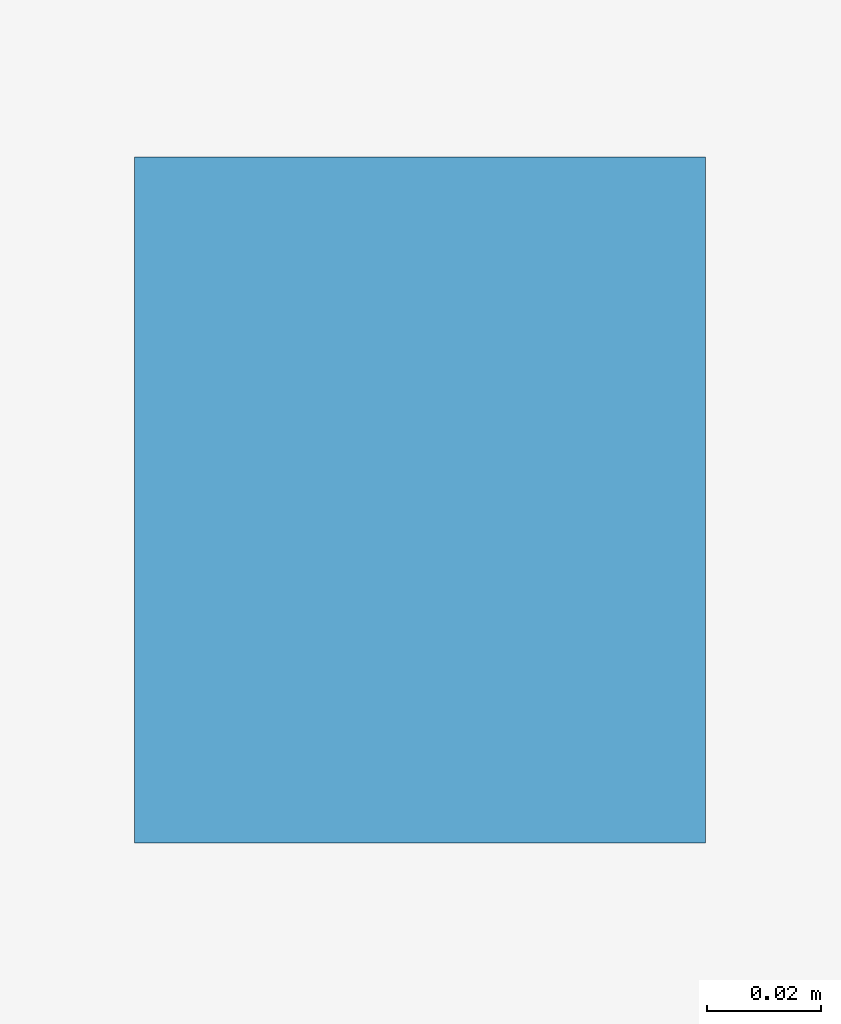
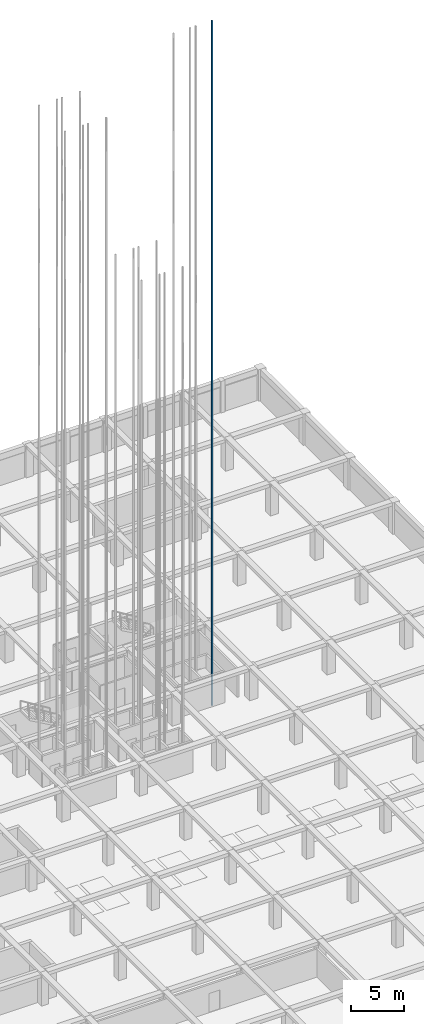
# One storey, part 44 of 47: 1 discrete accessory.
"""IFC4 building model written with IfcOpenShell, lengths in metres."""

import ifcopenshell
import ifcopenshell.guid

model = None  # the IFC model being written
_history = None  # IfcOwnerHistory: only IFC2X3 demands one
_inside = {}  # id of a spatial element -> (the spatial element, [elements in it])
_under = {}  # id of a project, library or spatial element -> (it, [spatial elements below it])
_declared = {}  # id of a project -> (the project, [libraries it declares])
_typed = {}  # id of a type object -> (the type object, [elements of that type])
_made_of = {}  # id of a material, layer set ... -> (it, [elements and type objects made of it])


def new_model(schema):
    """Start an empty IFC model of exactly this schema.

    Asked for "IFC4X3", IfcOpenShell would pick the latest addendum, in which some entities
    have other attributes; the version numbers below select the first issue.
    IFC2X3 requires an IfcOwnerHistory on every rooted entity: one is made here for all.
    """
    global model, _history
    if schema == "IFC4X3":
        model = ifcopenshell.file(schema_version=(4, 3, 0, 0))
    else:
        model = ifcopenshell.file(schema=schema)
    _inside.clear()
    _under.clear()
    _declared.clear()
    _typed.clear()
    _made_of.clear()
    _history = None
    if model.schema == "IFC2X3":
        org = make("IfcOrganization", Name="unknown")
        user = make(
            "IfcPersonAndOrganization",
            ThePerson=make("IfcPerson", FamilyName="unknown"),
            TheOrganization=org,
        )
        app = make(
            "IfcApplication",
            ApplicationDeveloper=org,
            Version="unknown",
            ApplicationFullName="unknown",
            ApplicationIdentifier="unknown",
        )
        _history = make(
            "IfcOwnerHistory",
            OwningUser=user,
            OwningApplication=app,
            ChangeAction="ADDED",
            CreationDate=0,
        )
    return model


def make(cls, **values):
    """One entity of the class cls with the attributes given. An attribute that is None is left unset."""
    return model.create_entity(
        cls, **{name: value for name, value in values.items() if value is not None}
    )


def rooted(cls, **values):
    """An entity with a GlobalId (a new one), such as an element, a storey or a relation."""
    return make(cls, GlobalId=ifcopenshell.guid.new(), OwnerHistory=_history, **values)


def si_unit(unit_type, name, prefix=None):
    """IfcSIUnit, for example si_unit("LENGTHUNIT", "METRE", prefix="MILLI")."""
    return make("IfcSIUnit", UnitType=unit_type, Prefix=prefix, Name=name)


def assignment(units):
    """IfcUnitAssignment: the units of a project."""
    return None if units is None else make("IfcUnitAssignment", Units=units)


def point(xyz):
    """IfcCartesianPoint."""
    return None if xyz is None else make("IfcCartesianPoint", Coordinates=xyz)


def direction(xyz):
    """IfcDirection."""
    return None if xyz is None else make("IfcDirection", DirectionRatios=xyz)


def frame(location, z_axis=None, x_axis=None):
    """IfcAxis2Placement3D, a coordinate frame: its origin and axes. An axis left out is left unset."""
    return make(
        "IfcAxis2Placement3D",
        Location=point(location),
        Axis=direction(z_axis),
        RefDirection=direction(x_axis),
    )


def frame_2d(location, x_axis=None):
    """IfcAxis2Placement2D, a coordinate frame in the plane: its origin and x axis."""
    return make(
        "IfcAxis2Placement2D", Location=point(location), RefDirection=direction(x_axis)
    )


def origin():
    """The frame at (0, 0, 0) with its axes left unset."""
    return frame((0.0, 0.0, 0.0))


def origin_2d():
    """The frame at (0, 0) in the plane with its x axis left unset."""
    return frame_2d((0.0, 0.0))


def place(relative_to, where):
    """IfcLocalPlacement: puts the frame where relative to a parent placement (None: the world)."""
    return make(
        "IfcLocalPlacement", PlacementRelTo=relative_to, RelativePlacement=where
    )


def context(
    kind, dimensions, precision=None, world=None, true_north=None, identifier=None
):
    """IfcGeometricRepresentationContext, for example the 3D "Model" context."""
    return make(
        "IfcGeometricRepresentationContext",
        ContextIdentifier=identifier,
        ContextType=kind,
        CoordinateSpaceDimension=dimensions,
        Precision=precision,
        WorldCoordinateSystem=world,
        TrueNorth=true_north,
    )


def subcontext(parent, identifier, kind, view, scale=None):
    """IfcGeometricRepresentationSubContext, for example "Body" below "Model"."""
    return make(
        "IfcGeometricRepresentationSubContext",
        ContextIdentifier=identifier,
        ContextType=kind,
        ParentContext=parent,
        TargetScale=scale,
        TargetView=view,
    )


def project(units=None, contexts=None):
    """IfcProject with its units and contexts."""
    return rooted(
        "IfcProject",
        Name="project",
        RepresentationContexts=contexts,
        UnitsInContext=assignment(units),
    )


def spatial(cls, under=None, at=None, **own):
    """A site, building, storey or space (cls), placed at a placement, below another one or the project."""
    s = rooted(cls, ObjectPlacement=at, **own)
    if under is not None:
        _under.setdefault(under.id(), (under, []))[1].append(s)
    return s


def profile(cls, at=None, kind="AREA", **sizes):
    """A parametric profile (cls). Its sizes go by their IFC names, for example OverallWidth=200.0."""
    return make(cls, ProfileType=kind, Position=at, **sizes)


def rectangle(**sizes):
    """IfcRectangleProfileDef."""
    return profile("IfcRectangleProfileDef", **sizes)


def extrude(swept, where, along, depth):
    """IfcExtrudedAreaSolid: the profile swept, set in the frame where, extruded along a direction by depth."""
    return make(
        "IfcExtrudedAreaSolid",
        SweptArea=swept,
        Position=where,
        ExtrudedDirection=direction(along),
        Depth=depth,
    )


def shape(context_of_items, identifier, shape_type, items):
    """IfcShapeRepresentation: the items that make up one representation, for example the "Body"."""
    return make(
        "IfcShapeRepresentation",
        ContextOfItems=context_of_items,
        RepresentationIdentifier=identifier,
        RepresentationType=shape_type,
        Items=items,
    )


def material(Name=None, Category=None):
    """IfcMaterial."""
    return make("IfcMaterial", Name=Name, Category=Category)


def layer(
    of_material, thickness, ventilated=None, Name=None, Category=None, Priority=None
):
    """IfcMaterialLayer: one layer of a wall or slab, of a material (None: an air gap)."""
    return make(
        "IfcMaterialLayer",
        Material=of_material,
        LayerThickness=thickness,
        IsVentilated=ventilated,
        Name=Name,
        Category=Category,
        Priority=Priority,
    )


def layer_set(layers, Name=None):
    """IfcMaterialLayerSet."""
    return make("IfcMaterialLayerSet", MaterialLayers=layers, LayerSetName=Name)


def made_of(thing, what):
    """Note that an element or type object is made of a material, layer set ...; save() writes the relation."""
    if what is not None:
        _made_of.setdefault(what.id(), (what, []))[1].append(thing)
    return thing


def type_object(cls, material=None, **own):
    """A type object (cls), such as IfcWallType, which elements share."""
    return made_of(rooted(cls, **own), material)


def element(
    cls,
    number,
    at=None,
    inside=None,
    cuts=None,
    type_object=None,
    material=None,
    context=None,
    identifier="Body",
    shape_type=None,
    held_by="IfcProductDefinitionShape",
    body=None,
    shapes=None,
    **own,
):
    """One element of the class cls, such as IfcWall. Its Tag is "e" and its number.

    at: its placement. inside: the storey or other place that contains it. cuts: it is an
    opening in that element (IfcRelVoidsElement). A single representation is given by context,
    identifier, shape_type and body (its items); several are given by shapes. held_by: the class
    of the entity that holds the representations. save() writes the other relations.
    """
    e = rooted(cls, Tag="e%d" % number, ObjectPlacement=at, **own)
    if body is not None:
        shapes = [shape(context, identifier, shape_type, body)]
    if shapes is not None:
        e.Representation = make(held_by, Representations=shapes)
    if inside is not None:
        _inside.setdefault(inside.id(), (inside, []))[1].append(e)
    if cuts is not None:
        rooted(
            "IfcRelVoidsElement", RelatingBuildingElement=cuts, RelatedOpeningElement=e
        )
    if type_object is not None:
        _typed.setdefault(type_object.id(), (type_object, []))[1].append(e)
    return made_of(e, material)


def aggregate(whole, parts):
    """IfcRelAggregates: a whole, such as a stair, and the parts it consists of."""
    return rooted("IfcRelAggregates", RelatingObject=whole, RelatedObjects=parts)


def save(model, path):
    """Write the relations noted so far, then the file.

    IfcRelAggregates (storeys below a building ...), IfcRelContainedInSpatialStructure (elements
    in a storey), IfcRelDefinesByType, IfcRelAssociatesMaterial and IfcRelDeclares: one each for
    every whole, place, type object, material and project.
    """
    for whole, parts in _under.values():
        aggregate(whole, parts)
    for where, things in _inside.values():
        rooted(
            "IfcRelContainedInSpatialStructure",
            RelatedElements=things,
            RelatingStructure=where,
        )
    for kind, things in _typed.values():
        rooted("IfcRelDefinesByType", RelatedObjects=things, RelatingType=kind)
    for what, things in _made_of.values():
        rooted("IfcRelAssociatesMaterial", RelatedObjects=things, RelatingMaterial=what)
    for by, libraries in _declared.values():
        rooted("IfcRelDeclares", RelatingContext=by, RelatedDefinitions=libraries)
    model.write(path)


model = new_model("IFC4")

# Units and contexts
model_context = context("Model", 3, precision=1e-05, world=origin(), true_north=direction((0.0, 1.0)))
body_context = subcontext(model_context, "Body", "Model", "MODEL_VIEW")
ifc_project = project(units=[si_unit("LENGTHUNIT", "METRE"), si_unit("AREAUNIT", "SQUARE_METRE"), si_unit("VOLUMEUNIT", "CUBIC_METRE"), si_unit("PLANEANGLEUNIT", "RADIAN"), si_unit("MASSUNIT", "GRAM", prefix="KILO")], contexts=[model_context])

# Site, building, storey
site_placement = place(None, origin())
site = spatial("IfcSite", under=ifc_project, at=site_placement, CompositionType="ELEMENT")
building_placement = place(site_placement, origin())
building = spatial("IfcBuilding", under=site, at=building_placement, Name="Almacenes y Pasaje Nevantli", CompositionType="ELEMENT")
storey_placement = place(building_placement, frame((0.0, 0.0, -8.10009765625)))
storey = spatial("IfcBuildingStorey", under=building, at=storey_placement, Name="B02", CompositionType="ELEMENT", Elevation=-8.10009765625)

# Discrete accessory
ifc_material = material(Name="Steel ASTM A36", Category="steel")
ifc_layer = layer(ifc_material, 0.1201171875)
ifc_layer_set = layer_set([ifc_layer], Name="Steel ASTM A36")
discrete_accessory_type = type_object("IfcDiscreteAccessoryType", Name="ACC-LIFT-RAIL", PredefinedType="BRACKET", material=ifc_layer_set)
discrete_accessory_placement = place(storey_placement, frame((139.780029296875, 77.75, -1.199951171875), z_axis=(0.0, 0.0, 1.0), x_axis=(1.0, 0.0, 0.0)))
element("IfcDiscreteAccessory", 1, at=discrete_accessory_placement, inside=storey, type_object=discrete_accessory_type, Name="Elevator Steel T-Section Guide Rail ELV-FF2-E", PredefinedType="BRACKET", context=body_context, shape_type="SweptSolid", body=[
    extrude(rectangle(XDim=0.10009765625, YDim=0.1201171875, at=origin_2d()), origin(), (0.0, 0.0, 1.0), 78.5),
])

save(model, "model.ifc")
